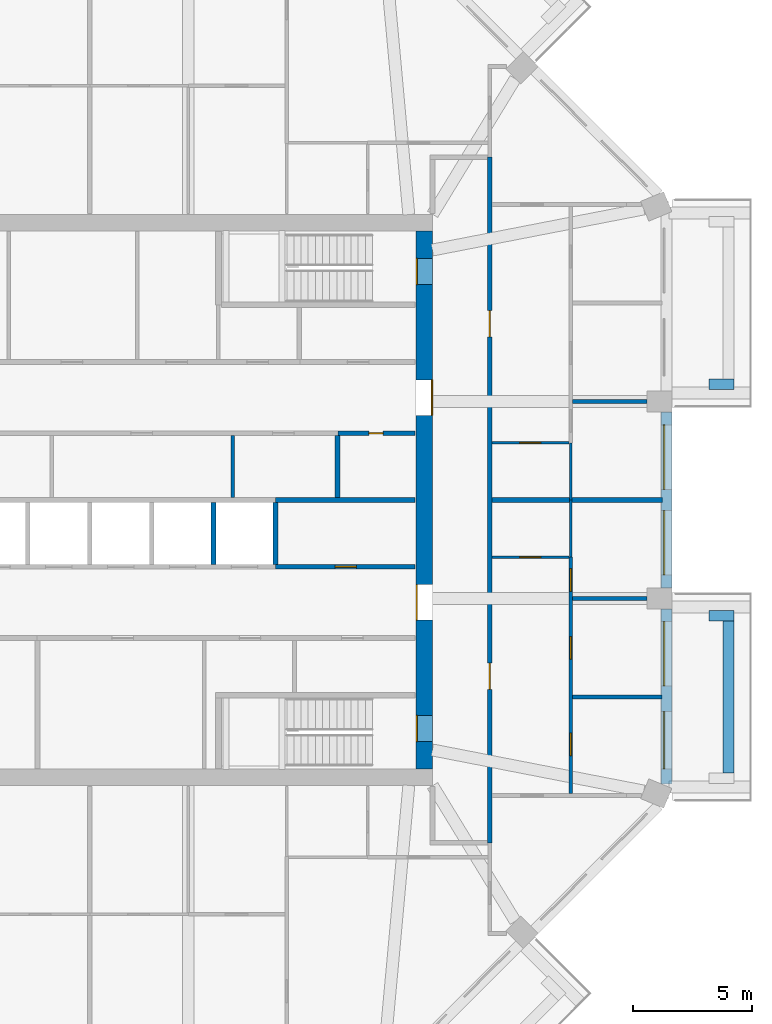
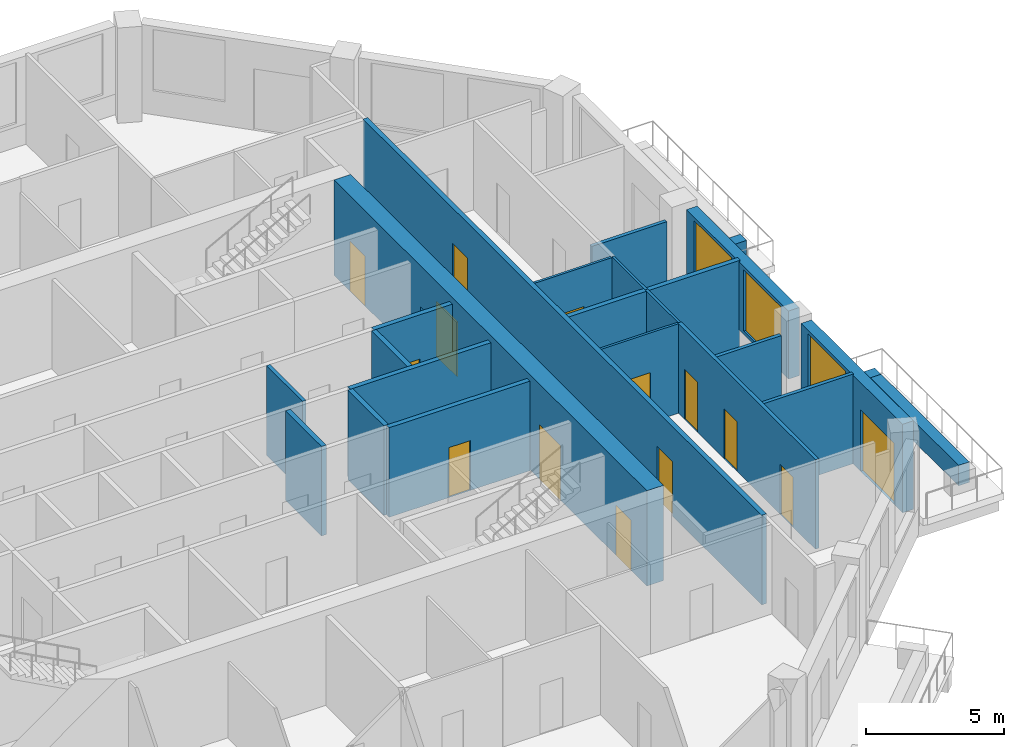
# One storey, part 6 of 12: 23 walls, 14 doors, 3 windows, 17 openings.
"""IFC4 building model written with IfcOpenShell, lengths in metres."""

from ifc_helpers import new_model, si_unit, direction, frame, frame_2d, origin, place, context, subcontext, project, spatial, rectangle, extrude, material, layer, layer_set, type_object, element, fill, save


model = new_model("IFC4")

# Units and contexts
model_context = context("Model", 3, precision=1e-05, world=origin(), true_north=direction((0.0, 1.0)))
body_context = subcontext(model_context, "Body", "Model", "MODEL_VIEW")
ifc_project = project(units=[si_unit("LENGTHUNIT", "METRE"), si_unit("AREAUNIT", "SQUARE_METRE"), si_unit("VOLUMEUNIT", "CUBIC_METRE"), si_unit("PLANEANGLEUNIT", "RADIAN"), si_unit("MASSUNIT", "GRAM", prefix="KILO")], contexts=[model_context])

# Site, building, storey
site_placement = place(None, origin())
site = spatial("IfcSite", under=ifc_project, at=site_placement, CompositionType="ELEMENT")
building_placement = place(site_placement, origin())
building = spatial("IfcBuilding", under=site, at=building_placement, Name="Msitu Wima Residences", CompositionType="ELEMENT")
storey_placement = place(building_placement, frame((0.0, 0.0, 170.699951171875)))
storey = spatial("IfcBuildingStorey", under=building, at=storey_placement, Name="L39", CompositionType="ELEMENT", Elevation=170.699951171875)

# Walls
ifc_material_1 = material(Name="Facing brick")
ifc_layer_1 = layer(ifc_material_1, 0.06494140625, Name="Facing brick")
ifc_material_2 = material(Name="Concrete C40/50", Category="concrete")
ifc_layer_2 = layer(ifc_material_2, 0.156005859375, Name="Concrete C40/50")
ifc_material_3 = material(Name="Waterproofing membrane")
ifc_layer_3 = layer(ifc_material_3, 0.00390625, Name="Waterproofing membrane")
ifc_material_4 = material(Name="Planting soil and planting")
ifc_layer_4 = layer(ifc_material_4, 0.22509765625, Name="Planting soil and planting")
ifc_layer_set_1 = layer_set([ifc_layer_1, ifc_layer_2, ifc_layer_3, ifc_layer_4], Name="Concrete C40/50")
wall_type_1 = type_object("IfcWallType", Name="Balcony planter PLANTER PL450", PredefinedType="USERDEFINED", material=ifc_layer_set_1)
wall_1_placement = place(storey_placement, frame((26.824951171875, -11.461669921875, 0.0), z_axis=(0.0, 0.0, 1.0), x_axis=(0.0, 1.0, 0.0)))
element("IfcWall", 1, at=wall_1_placement, inside=storey, type_object=wall_type_1, Name="Balcony planter E0 L39", ObjectType="PLANTER", PredefinedType="USERDEFINED", context=body_context, shape_type="SweptSolid", body=[
    extrude(rectangle(XDim=6.37451171875, YDim=0.449951171875, at=frame_2d((3.187255859375, 0.0))), origin(), (0.0, 0.0, 1.0), 0.900146484375),
])
for number, where, z_axis, x_axis, name in (
    (2, (26.0, -4.8623046875, 0.0), (0.0, 0.0, 1.0), (1.0, 0.0, 0.0), "Balcony planter E0 L39"),
    (3, (26.0, 4.8623046875, 0.0), (0.0, 0.0, 1.0), (1.0, 0.0, 0.0), "Balcony planter E2 L39"),
):
    element("IfcWall", number, at=place(storey_placement, frame(where, z_axis=z_axis, x_axis=x_axis)), inside=storey, type_object=wall_type_1, Name=name, ObjectType="PLANTER", PredefinedType="USERDEFINED", context=body_context, shape_type="SweptSolid", body=[
        extrude(rectangle(XDim=1.050048828125, YDim=0.449951171875, at=frame_2d((0.52490234375, 0.0))), origin(), (0.0, 0.0, 1.0), 0.900146484375),
    ])

# Wall, openings, door, window
ifc_material_5 = material(Name="Brick (red buff mix)", Category="masonry")
ifc_layer_5 = layer(ifc_material_5, 0.449951171875)
ifc_layer_set_2 = layer_set([ifc_layer_5], Name="Brick (red buff mix)")
wall_type_2 = type_object("IfcWallType", Name="Brick infill wall BW450", PredefinedType="SOLIDWALL", material=ifc_layer_set_2)
wall_2_placement = place(storey_placement, frame((24.22509765625, -11.9248046875, 0.0), z_axis=(0.0, 0.0, 1.0), x_axis=(0.0, 1.0, 0.0)))
wall_2 = element("IfcWall", 4, at=wall_2_placement, inside=storey, type_object=wall_type_2, Name="Brick infill wall L39 E0", PredefinedType="SOLIDWALL", context=body_context, shape_type="SweptSolid", body=[
    extrude(rectangle(XDim=7.337646484375, YDim=0.449951171875, at=frame_2d((3.6689453125, 0.0))), origin(), (0.0, 0.0, 1.0), 3.900146484375),
])
opening_1_placement = place(wall_2_placement, frame((0.63427734375, 0.0, 0.0)))
opening_1 = element("IfcOpeningElement", 5, at=opening_1_placement, cuts=wall_2, Name="Opening D38-39.001", PredefinedType="OPENING", context=body_context, shape_type="SweptSolid", body=[
    extrude(rectangle(XDim=2.39990234375, YDim=2.699951171875, at=frame_2d((1.199951171875, 1.35009765625))), frame((0.0, 0.23486328125, 0.0), z_axis=(0.0, -1.0, 0.0), x_axis=(1.0, 0.0, 0.0)), (0.0, 0.0, 1.0), 0.469970703125),
])
opening_2_placement = place(wall_2_placement, frame((4.11865234375, 0.0, 1.050048828125)))
opening_2 = element("IfcOpeningElement", 6, at=opening_2_placement, cuts=wall_2, Name="Opening W38-39.001", PredefinedType="OPENING", context=body_context, shape_type="SweptSolid", body=[
    extrude(rectangle(XDim=2.699951171875, YDim=2.699951171875, at=frame_2d((1.35009765625, 1.35009765625))), frame((0.0, 0.23486328125, 0.0), z_axis=(0.0, -1.0, 0.0), x_axis=(1.0, 0.0, 0.0)), (0.0, 0.0, 1.0), 0.469970703125),
])
ifc_material_6 = material(Name="Anodised aluminium, bronze finish, clear low-emissivity double glazing", Category="aluminium")
door_type_1 = type_object("IfcDoorType", Name="Balcony door D2400x2700", OperationType="SLIDING_TO_LEFT", PredefinedType="DOOR", material=ifc_material_6)
door_1_placement = place(opening_1_placement, origin())
door_1 = element("IfcDoor", 7, at=door_1_placement, inside=storey, type_object=door_type_1, Name="Balcony door L39 E0", OperationType="SINGLE_SWING_LEFT", OverallHeight=2.699951171875, OverallWidth=2.39990234375, PredefinedType="DOOR", context=body_context, shape_type="SweptSolid", body=[
    extrude(rectangle(XDim=2.39990234375, YDim=2.699951171875, at=frame_2d((1.199951171875, 1.35009765625))), frame((0.0, 0.1298828125, 0.0), z_axis=(0.0, -1.0, 0.0), x_axis=(1.0, 0.0, 0.0)), (0.0, 0.0, 1.0), 0.050048828125),
])
fill(opening_1, door_1)
window_type = type_object("IfcWindowType", Name="Window W2700x2700", PartitioningType="DOUBLE_PANEL_VERTICAL", PredefinedType="WINDOW", material=ifc_material_6)
window_1_placement = place(opening_2_placement, origin())
window_1 = element("IfcWindow", 8, at=window_1_placement, inside=storey, type_object=window_type, Name="Window L39 E0.2", OverallHeight=2.699951171875, OverallWidth=2.699951171875, PartitioningType="SINGLE_PANEL", PredefinedType="WINDOW", context=body_context, shape_type="SweptSolid", body=[
    extrude(rectangle(XDim=2.699951171875, YDim=2.699951171875, at=frame_2d((1.35009765625, 1.35009765625))), frame((0.0, 0.135009765625, 0.0), z_axis=(0.0, -1.0, 0.0), x_axis=(1.0, 0.0, 0.0)), (0.0, 0.0, 1.0), 0.06005859375),
])
fill(opening_2, window_1)

# Wall, openings, windows
wall_3_placement = place(storey_placement, frame((24.22509765625, -3.687255859375, 0.900146484375), z_axis=(0.0, 0.0, 1.0), x_axis=(0.0, 1.0, 0.0)))
wall_3 = element("IfcWall", 9, at=wall_3_placement, inside=storey, type_object=wall_type_2, Name="Brick infill wall L39 E1", PredefinedType="SOLIDWALL", context=body_context, shape_type="SweptSolid", body=[
    extrude(rectangle(XDim=7.37451171875, YDim=0.449951171875, at=frame_2d((3.687255859375, 0.0))), origin(), (0.0, 0.0, 1.0), 3.0),
])
opening_3_placement = place(wall_3_placement, frame((0.537353515625, 0.0, 0.14990234375)))
opening_3 = element("IfcOpeningElement", 10, at=opening_3_placement, cuts=wall_3, Name="Opening W38-39.002", PredefinedType="OPENING", context=body_context, shape_type="SweptSolid", body=[
    extrude(rectangle(XDim=2.699951171875, YDim=2.699951171875, at=frame_2d((1.35009765625, 1.35009765625))), frame((0.0, 0.23486328125, 0.0), z_axis=(0.0, -1.0, 0.0), x_axis=(1.0, 0.0, 0.0)), (0.0, 0.0, 1.0), 0.469970703125),
])
opening_4_placement = place(wall_3_placement, frame((4.13720703125, 0.0, 0.14990234375)))
opening_4 = element("IfcOpeningElement", 11, at=opening_4_placement, cuts=wall_3, Name="Opening W38-39.003", PredefinedType="OPENING", context=body_context, shape_type="SweptSolid", body=[
    extrude(rectangle(XDim=2.699951171875, YDim=2.699951171875, at=frame_2d((1.35009765625, 1.35009765625))), frame((0.0, 0.23486328125, 0.0), z_axis=(0.0, -1.0, 0.0), x_axis=(1.0, 0.0, 0.0)), (0.0, 0.0, 1.0), 0.469970703125),
])
window_2_placement = place(opening_3_placement, origin())
window_2 = element("IfcWindow", 12, at=window_2_placement, inside=storey, type_object=window_type, Name="Window L39 E1.1", OverallHeight=2.699951171875, OverallWidth=2.699951171875, PartitioningType="SINGLE_PANEL", PredefinedType="WINDOW", context=body_context, shape_type="SweptSolid", body=[
    extrude(rectangle(XDim=2.699951171875, YDim=2.699951171875, at=frame_2d((1.35009765625, 1.35009765625))), frame((0.0, 0.135009765625, 0.0), z_axis=(0.0, -1.0, 0.0), x_axis=(1.0, 0.0, 0.0)), (0.0, 0.0, 1.0), 0.06005859375),
])
fill(opening_3, window_2)
window_3_placement = place(opening_4_placement, origin())
window_3 = element("IfcWindow", 13, at=window_3_placement, inside=storey, type_object=window_type, Name="Window L39 E1.2", OverallHeight=2.699951171875, OverallWidth=2.699951171875, PartitioningType="SINGLE_PANEL", PredefinedType="WINDOW", context=body_context, shape_type="SweptSolid", body=[
    extrude(rectangle(XDim=2.699951171875, YDim=2.699951171875, at=frame_2d((1.35009765625, 1.35009765625))), frame((0.0, 0.135009765625, 0.0), z_axis=(0.0, -1.0, 0.0), x_axis=(1.0, 0.0, 0.0)), (0.0, 0.0, 1.0), 0.06005859375),
])
fill(opening_4, window_3)

# Wall, openings, doors
ifc_material_7 = material(Name="Concrete C60/75", Category="concrete")
ifc_layer_6 = layer(ifc_material_7, 0.699951171875)
ifc_layer_set_3 = layer_set([ifc_layer_6], Name="Concrete C60/75")
wall_type_3 = type_object("IfcWallType", Name="Core wall CW700 C60/75", PredefinedType="SHEAR", material=ifc_layer_set_3)
wall_4_placement = place(storey_placement, frame((14.050048828125, -11.300048828125, 0.0), z_axis=(0.0, 0.0, 1.0), x_axis=(0.0, 1.0, 0.0)))
wall_4 = element("IfcWall", 14, at=wall_4_placement, inside=storey, type_object=wall_type_3, Name="Core wall", PredefinedType="SHEAR", context=body_context, shape_type="SweptSolid", body=[
    extrude(rectangle(XDim=22.60009765625, YDim=0.699951171875, at=frame_2d((11.300048828125, 0.0))), origin(), (0.0, 0.0, 1.0), 4.199951171875),
])
opening_5_placement = place(wall_4_placement, frame((20.35009765625, 0.0, 0.0)))
opening_5 = element("IfcOpeningElement", 15, at=opening_5_placement, cuts=wall_4, Name="Opening D38-39.084", PredefinedType="OPENING", context=body_context, shape_type="SweptSolid", body=[
    extrude(rectangle(XDim=1.10009765625, YDim=2.199951171875, at=frame_2d((0.550048828125, 1.10009765625))), frame((0.0, 0.35986328125, 0.0), z_axis=(0.0, -1.0, 0.0), x_axis=(1.0, 0.0, 0.0)), (0.0, 0.0, 1.0), 0.719970703125),
])
opening_6_placement = place(wall_4_placement, frame((1.14990234375, 0.0, 0.0)))
opening_6 = element("IfcOpeningElement", 16, at=opening_6_placement, cuts=wall_4, Name="Opening D38-39.085", PredefinedType="OPENING", context=body_context, shape_type="SweptSolid", body=[
    extrude(rectangle(XDim=1.10009765625, YDim=2.199951171875, at=frame_2d((0.550048828125, 1.10009765625))), frame((0.0, 0.35986328125, 0.0), z_axis=(0.0, -1.0, 0.0), x_axis=(1.0, 0.0, 0.0)), (0.0, 0.0, 1.0), 0.719970703125),
])
opening_7_placement = place(wall_4_placement, frame((14.85009765625, 0.0, 0.0)))
opening_7 = element("IfcOpeningElement", 17, at=opening_7_placement, cuts=wall_4, Name="Opening D38-39.073", PredefinedType="OPENING", context=body_context, shape_type="SweptSolid", body=[
    extrude(rectangle(XDim=1.5, YDim=2.39990234375, at=frame_2d((0.75, 1.199951171875))), frame((0.0, 0.35986328125, 0.0), z_axis=(0.0, -1.0, 0.0), x_axis=(1.0, 0.0, 0.0)), (0.0, 0.0, 1.0), 0.719970703125),
])
opening_8_placement = place(wall_4_placement, frame((6.25, 0.0, 0.0)))
opening_8 = element("IfcOpeningElement", 18, at=opening_8_placement, cuts=wall_4, Name="Opening D38-39.074", PredefinedType="OPENING", context=body_context, shape_type="SweptSolid", body=[
    extrude(rectangle(XDim=1.5, YDim=2.39990234375, at=frame_2d((0.75, 1.199951171875))), frame((0.0, 0.35986328125, 0.0), z_axis=(0.0, -1.0, 0.0), x_axis=(1.0, 0.0, 0.0)), (0.0, 0.0, 1.0), 0.719970703125),
])
ifc_material_8 = material(Name="Steel framed glazed door, fire resisting", Category="steel")
door_type_2 = type_object("IfcDoorType", Name="Lobby door D07 1500x2400", OperationType="DOUBLE_DOOR_SINGLE_SWING", PredefinedType="DOOR", material=ifc_material_8)
door_2_placement = place(opening_7_placement, origin())
door_2 = element("IfcDoor", 19, at=door_2_placement, inside=storey, type_object=door_type_2, Name="Lobby door", OperationType="DOUBLE_DOOR_SINGLE_SWING", OverallHeight=2.39990234375, OverallWidth=1.5, PredefinedType="DOOR", context=body_context, shape_type="SweptSolid", body=[
    extrude(rectangle(XDim=1.5, YDim=2.39990234375, at=frame_2d((0.75, 1.199951171875))), frame((0.0, -0.294921875, 0.0), z_axis=(0.0, -1.0, 0.0), x_axis=(1.0, 0.0, 0.0)), (0.0, 0.0, 1.0), 0.050048828125),
])
fill(opening_7, door_2)
door_3_placement = place(opening_8_placement, origin())
door_3 = element("IfcDoor", 20, at=door_3_placement, inside=storey, type_object=door_type_2, Name="Lobby door", OperationType="DOUBLE_DOOR_SINGLE_SWING", OverallHeight=2.39990234375, OverallWidth=1.5, PredefinedType="DOOR", context=body_context, shape_type="SweptSolid", body=[
    extrude(rectangle(XDim=1.5, YDim=2.39990234375, at=frame_2d((0.75, 1.199951171875))), frame((0.0, 0.34521484375, 0.0), z_axis=(0.0, -1.0, 0.0), x_axis=(1.0, 0.0, 0.0)), (0.0, 0.0, 1.0), 0.050048828125),
])
fill(opening_8, door_3)
ifc_material_9 = material(Name="Steel door, fire resisting, panic bar", Category="steel")
door_type_3 = type_object("IfcDoorType", Name="Stair door D06 1100x2200", OperationType="SINGLE_SWING_LEFT", PredefinedType="DOOR", material=ifc_material_9)
door_4_placement = place(opening_5_placement, origin())
door_4 = element("IfcDoor", 21, at=door_4_placement, inside=storey, type_object=door_type_3, Name="Stair door", OperationType="SINGLE_SWING_LEFT", OverallHeight=2.199951171875, OverallWidth=1.10009765625, PredefinedType="DOOR", context=body_context, shape_type="SweptSolid", body=[
    extrude(rectangle(XDim=1.10009765625, YDim=2.199951171875, at=frame_2d((0.550048828125, 1.10009765625))), frame((0.0, 0.34521484375, 0.0), z_axis=(0.0, -1.0, 0.0), x_axis=(1.0, 0.0, 0.0)), (0.0, 0.0, 1.0), 0.050048828125),
])
fill(opening_5, door_4)
door_5_placement = place(opening_6_placement, origin())
door_5 = element("IfcDoor", 22, at=door_5_placement, inside=storey, type_object=door_type_3, Name="Stair door", OperationType="SINGLE_SWING_RIGHT", OverallHeight=2.199951171875, OverallWidth=1.10009765625, PredefinedType="DOOR", context=body_context, shape_type="SweptSolid", body=[
    extrude(rectangle(XDim=1.10009765625, YDim=2.199951171875, at=frame_2d((0.550048828125, 1.10009765625))), frame((0.0, 0.34521484375, 0.0), z_axis=(0.0, -1.0, 0.0), x_axis=(1.0, 0.0, 0.0)), (0.0, 0.0, 1.0), 0.050048828125),
])
fill(opening_6, door_5)

ifc_material_10 = material(Name="Plaster")
ifc_layer_7 = layer(ifc_material_10, 0.011962890625, Name="Plaster")
ifc_material_11 = material(Name="Concrete blockwork", Category="masonry")
ifc_layer_8 = layer(ifc_material_11, 0.176025390625, Name="Concrete blockwork")
ifc_layer_9 = layer(ifc_material_10, 0.011962890625, Name="Plaster")
ifc_layer_set_4 = layer_set([ifc_layer_7, ifc_layer_8, ifc_layer_9], Name="Concrete blockwork")
wall_type_4 = type_object("IfcWallType", Name="Corridor wall FW200", PredefinedType="PARTITIONING", material=ifc_layer_set_4)
wall_5_placement = place(storey_placement, frame((16.800048828125, -14.39990234375, 0.0), z_axis=(0.0, 0.0, 1.0), x_axis=(0.0, 1.0, 0.0)))
wall_5 = element("IfcWall", 23, at=wall_5_placement, inside=storey, type_object=wall_type_4, Name="Corridor wall", PredefinedType="PARTITIONING", context=body_context, shape_type="SweptSolid", body=[
    extrude(rectangle(XDim=28.7998046875, YDim=0.199951171875, at=frame_2d((14.39990234375, 0.0))), origin(), (0.0, 0.0, 1.0), 3.949951171875),
])
opening_9_placement = place(wall_5_placement, frame((21.25, 0.0, 0.0)))
opening_9 = element("IfcOpeningElement", 24, at=opening_9_placement, cuts=wall_5, Name="Opening D38-39.011", PredefinedType="OPENING", context=body_context, shape_type="SweptSolid", body=[
    extrude(rectangle(XDim=1.10009765625, YDim=2.39990234375, at=frame_2d((0.550048828125, 1.199951171875))), frame((0.0, 0.10986328125, 0.0), z_axis=(0.0, -1.0, 0.0), x_axis=(1.0, 0.0, 0.0)), (0.0, 0.0, 1.0), 0.219970703125),
])
opening_10_placement = place(wall_5_placement, frame((6.449951171875, 0.0, 0.0)))
opening_10 = element("IfcOpeningElement", 25, at=opening_10_placement, cuts=wall_5, Name="Opening D38-39.047", PredefinedType="OPENING", context=body_context, shape_type="SweptSolid", body=[
    extrude(rectangle(XDim=1.10009765625, YDim=2.39990234375, at=frame_2d((0.550048828125, 1.199951171875))), frame((0.0, 0.10986328125, 0.0), z_axis=(0.0, -1.0, 0.0), x_axis=(1.0, 0.0, 0.0)), (0.0, 0.0, 1.0), 0.219970703125),
])
ifc_material_12 = material(Name="Timber flush door, fire resisting, self-closing", Category="wood")
door_type_4 = type_object("IfcDoorType", Name="Flat entrance door D01 1100x2400", OperationType="SINGLE_SWING_LEFT", PredefinedType="DOOR", material=ifc_material_12)
door_6_placement = place(opening_9_placement, origin())
door_6 = element("IfcDoor", 26, at=door_6_placement, inside=storey, type_object=door_type_4, Name="Flat entrance door", OperationType="SINGLE_SWING_LEFT", OverallHeight=2.39990234375, OverallWidth=1.10009765625, PredefinedType="DOOR", context=body_context, shape_type="SweptSolid", body=[
    extrude(rectangle(XDim=1.10009765625, YDim=2.39990234375, at=frame_2d((0.550048828125, 1.199951171875))), frame((0.0, 0.02490234375, 0.0), z_axis=(0.0, -1.0, 0.0), x_axis=(1.0, 0.0, 0.0)), (0.0, 0.0, 1.0), 0.050048828125),
])
fill(opening_9, door_6)
door_7_placement = place(opening_10_placement, origin())
door_7 = element("IfcDoor", 27, at=door_7_placement, inside=storey, type_object=door_type_4, Name="Flat entrance door", OperationType="SINGLE_SWING_RIGHT", OverallHeight=2.39990234375, OverallWidth=1.10009765625, PredefinedType="DOOR", context=body_context, shape_type="SweptSolid", body=[
    extrude(rectangle(XDim=1.10009765625, YDim=2.39990234375, at=frame_2d((0.550048828125, 1.199951171875))), frame((0.0, 0.02490234375, 0.0), z_axis=(0.0, -1.0, 0.0), x_axis=(1.0, 0.0, 0.0)), (0.0, 0.0, 1.0), 0.050048828125),
])
fill(opening_10, door_7)

# Wall
ifc_layer_10 = layer(ifc_material_10, 0.011962890625, Name="Plaster")
ifc_layer_11 = layer(ifc_material_11, 0.1259765625, Name="Concrete blockwork")
ifc_layer_12 = layer(ifc_material_10, 0.011962890625, Name="Plaster")
ifc_layer_set_5 = layer_set([ifc_layer_10, ifc_layer_11, ifc_layer_12], Name="Concrete blockwork")
wall_type_5 = type_object("IfcWallType", Name="Partition PW150", PredefinedType="PARTITIONING", material=ifc_layer_set_5)
wall_6_placement = place(storey_placement, frame((6.0, 0.10009765625, 0.0), z_axis=(0.0, 0.0, 1.0), x_axis=(0.0, 1.0, 0.0)))
element("IfcWall", 28, at=wall_6_placement, inside=storey, type_object=wall_type_5, Name="Partition", PredefinedType="PARTITIONING", context=body_context, shape_type="SweptSolid", body=[
    extrude(rectangle(XDim=2.599853515625, YDim=0.14990234375, at=frame_2d((1.2998046875, 0.0))), origin(), (0.0, 0.0, 1.0), 3.949951171875),
])

# Wall, openings, doors
wall_7_placement = place(storey_placement, frame((20.199951171875, -12.336669921875, 0.0), z_axis=(0.0, 0.0, 1.0), x_axis=(0.0, 1.0, 0.0)))
wall_7 = element("IfcWall", 29, at=wall_7_placement, inside=storey, type_object=wall_type_5, Name="Partition", PredefinedType="PARTITIONING", context=body_context, shape_type="SweptSolid", body=[
    extrude(rectangle(XDim=9.936767578125, YDim=0.14990234375, at=frame_2d((4.96826171875, 0.0))), origin(), (0.0, 0.0, 1.0), 3.949951171875),
])
opening_11_placement = place(wall_7_placement, frame((8.5, 0.0, 0.0)))
opening_11 = element("IfcOpeningElement", 30, at=opening_11_placement, cuts=wall_7, Name="Opening D38-39.051", PredefinedType="OPENING", context=body_context, shape_type="SweptSolid", body=[
    extrude(rectangle(XDim=0.949951171875, YDim=2.199951171875, at=frame_2d((0.47509765625, 1.10009765625))), frame((0.0, 0.0849609375, 0.0), z_axis=(0.0, -1.0, 0.0), x_axis=(1.0, 0.0, 0.0)), (0.0, 0.0, 1.0), 0.169921875),
])
opening_12_placement = place(wall_7_placement, frame((5.64990234375, 0.0, 0.0)))
opening_12 = element("IfcOpeningElement", 31, at=opening_12_placement, cuts=wall_7, Name="Opening D38-39.052", PredefinedType="OPENING", context=body_context, shape_type="SweptSolid", body=[
    extrude(rectangle(XDim=0.949951171875, YDim=2.199951171875, at=frame_2d((0.47509765625, 1.10009765625))), frame((0.0, 0.0849609375, 0.0), z_axis=(0.0, -1.0, 0.0), x_axis=(1.0, 0.0, 0.0)), (0.0, 0.0, 1.0), 0.169921875),
])
opening_13_placement = place(wall_7_placement, frame((1.60009765625, 0.0, 0.0)))
opening_13 = element("IfcOpeningElement", 32, at=opening_13_placement, cuts=wall_7, Name="Opening D38-39.053", PredefinedType="OPENING", context=body_context, shape_type="SweptSolid", body=[
    extrude(rectangle(XDim=0.949951171875, YDim=2.199951171875, at=frame_2d((0.47509765625, 1.10009765625))), frame((0.0, 0.0849609375, 0.0), z_axis=(0.0, -1.0, 0.0), x_axis=(1.0, 0.0, 0.0)), (0.0, 0.0, 1.0), 0.169921875),
])
ifc_material_13 = material(Name="Timber flush door", Category="wood")
door_type_5 = type_object("IfcDoorType", Name="Room door D12 950x2200", OperationType="SINGLE_SWING_LEFT", PredefinedType="DOOR", material=ifc_material_13)
door_8_placement = place(opening_11_placement, origin())
door_8 = element("IfcDoor", 33, at=door_8_placement, inside=storey, type_object=door_type_5, Name="Room door", OperationType="SINGLE_SWING_RIGHT", OverallHeight=2.199951171875, OverallWidth=0.949951171875, PredefinedType="DOOR", context=body_context, shape_type="SweptSolid", body=[
    extrude(rectangle(XDim=0.949951171875, YDim=2.199951171875, at=frame_2d((0.47509765625, 1.10009765625))), frame((0.0, 0.02490234375, 0.0), z_axis=(0.0, -1.0, 0.0), x_axis=(1.0, 0.0, 0.0)), (0.0, 0.0, 1.0), 0.050048828125),
])
fill(opening_11, door_8)
door_9_placement = place(opening_12_placement, origin())
door_9 = element("IfcDoor", 34, at=door_9_placement, inside=storey, type_object=door_type_5, Name="Room door", OperationType="SINGLE_SWING_RIGHT", OverallHeight=2.199951171875, OverallWidth=0.949951171875, PredefinedType="DOOR", context=body_context, shape_type="SweptSolid", body=[
    extrude(rectangle(XDim=0.949951171875, YDim=2.199951171875, at=frame_2d((0.47509765625, 1.10009765625))), frame((0.0, 0.02490234375, 0.0), z_axis=(0.0, -1.0, 0.0), x_axis=(1.0, 0.0, 0.0)), (0.0, 0.0, 1.0), 0.050048828125),
])
fill(opening_12, door_9)
door_10_placement = place(opening_13_placement, origin())
door_10 = element("IfcDoor", 35, at=door_10_placement, inside=storey, type_object=door_type_5, Name="Room door", OperationType="SINGLE_SWING_LEFT", OverallHeight=2.199951171875, OverallWidth=0.949951171875, PredefinedType="DOOR", context=body_context, shape_type="SweptSolid", body=[
    extrude(rectangle(XDim=0.949951171875, YDim=2.199951171875, at=frame_2d((0.47509765625, 1.10009765625))), frame((0.0, 0.02490234375, 0.0), z_axis=(0.0, -1.0, 0.0), x_axis=(1.0, 0.0, 0.0)), (0.0, 0.0, 1.0), 0.050048828125),
])
fill(opening_13, door_10)

# Walls
wall_8_placement = place(storey_placement, frame((20.27490234375, -8.2744140625, 0.0), z_axis=(0.0, 0.0, 1.0), x_axis=(1.0, 0.0, 0.0)))
element("IfcWall", 36, at=wall_8_placement, inside=storey, type_object=wall_type_5, Name="Partition", PredefinedType="PARTITIONING", context=body_context, shape_type="SweptSolid", body=[
    extrude(rectangle(XDim=3.75, YDim=0.14990234375, at=frame_2d((1.875, 0.0))), origin(), (0.0, 0.0, 1.0), 3.949951171875),
])
for number, where, z_axis, x_axis, name in (
    (37, (20.27490234375, -4.13720703125, 0.0), (0.0, 0.0, 1.0), (1.0, 0.0, 0.0), "Partition"),
    (38, (20.27490234375, 4.13720703125, 0.0), (0.0, 0.0, 1.0), (1.0, 0.0, 0.0), "Partition"),
):
    element("IfcWall", number, at=place(storey_placement, frame(where, z_axis=z_axis, x_axis=x_axis)), inside=storey, type_object=wall_type_5, Name=name, PredefinedType="PARTITIONING", context=body_context, shape_type="SweptSolid", body=[
        extrude(rectangle(XDim=3.125, YDim=0.14990234375, at=frame_2d((1.5625, 0.0))), origin(), (0.0, 0.0, 1.0), 3.35009765625),
    ])
ifc_layer_13 = layer(ifc_material_10, 0.011962890625, Name="Plaster")
ifc_material_14 = material(Name="Dense concrete blockwork", Category="masonry")
ifc_layer_14 = layer(ifc_material_14, 0.176025390625, Name="Dense concrete blockwork")
ifc_layer_15 = layer(ifc_material_10, 0.011962890625, Name="Plaster")
ifc_layer_set_6 = layer_set([ifc_layer_13, ifc_layer_14, ifc_layer_15], Name="Dense concrete blockwork")
wall_type_6 = type_object("IfcWallType", Name="Party wall PW200", PredefinedType="PARTITIONING", material=ifc_layer_set_6)
wall_9_placement = place(storey_placement, frame((16.89990234375, 0.0, 0.0), z_axis=(0.0, 0.0, 1.0), x_axis=(1.0, 0.0, 0.0)))
element("IfcWall", 39, at=wall_9_placement, inside=storey, type_object=wall_type_6, Name="Party wall", PredefinedType="PARTITIONING", context=body_context, shape_type="SweptSolid", body=[
    extrude(rectangle(XDim=7.155029296875, YDim=0.199951171875, at=frame_2d((3.57763671875, 0.0))), origin(), (0.0, 0.0, 1.0), 3.949951171875),
])

# Wall, opening, door
ifc_layer_16 = layer(ifc_material_10, 0.011962890625, Name="Plaster")
ifc_material_15 = material(Name="Reinforced concrete blockwork", Category="masonry")
ifc_layer_17 = layer(ifc_material_15, 0.176025390625, Name="Reinforced concrete blockwork")
ifc_layer_18 = layer(ifc_material_10, 0.011962890625, Name="Plaster")
ifc_layer_set_7 = layer_set([ifc_layer_16, ifc_layer_17, ifc_layer_18], Name="Reinforced concrete blockwork")
wall_type_7 = type_object("IfcWallType", Name="Plant and riser wall PL200", PredefinedType="PARTITIONING", material=ifc_layer_set_7)
wall_10_placement = place(storey_placement, frame((7.800048828125, -2.800048828125, 0.0), z_axis=(0.0, 0.0, 1.0), x_axis=(1.0, 0.0, 0.0)))
wall_10 = element("IfcWall", 40, at=wall_10_placement, inside=storey, type_object=wall_type_7, Name="Plant and riser wall", PredefinedType="PARTITIONING", context=body_context, shape_type="SweptSolid", body=[
    extrude(rectangle(XDim=5.869873046875, YDim=0.199951171875, at=frame_2d((2.93505859375, 0.0))), origin(), (0.0, 0.0, 1.0), 3.949951171875),
])
opening_14_placement = place(wall_10_placement, frame((2.5, 0.0, 0.0)))
opening_14 = element("IfcOpeningElement", 41, at=opening_14_placement, cuts=wall_10, Name="Opening D38-39.059", PredefinedType="OPENING", context=body_context, shape_type="SweptSolid", body=[
    extrude(rectangle(XDim=0.89990234375, YDim=2.199951171875, at=frame_2d((0.449951171875, 1.10009765625))), frame((0.0, 0.10986328125, 0.0), z_axis=(0.0, -1.0, 0.0), x_axis=(1.0, 0.0, 0.0)), (0.0, 0.0, 1.0), 0.219970703125),
])
door_type_6 = type_object("IfcDoorType", Name="Service door D05 900x2200", OperationType="SINGLE_SWING_LEFT", PredefinedType="DOOR", material=ifc_material_13)
door_11_placement = place(opening_14_placement, origin())
door_11 = element("IfcDoor", 42, at=door_11_placement, inside=storey, type_object=door_type_6, Name="Service door", OperationType="SINGLE_SWING_LEFT", OverallHeight=2.199951171875, OverallWidth=0.89990234375, PredefinedType="DOOR", context=body_context, shape_type="SweptSolid", body=[
    extrude(rectangle(XDim=0.89990234375, YDim=2.199951171875, at=frame_2d((0.449951171875, 1.10009765625))), frame((0.0, 0.02490234375, 0.0), z_axis=(0.0, -1.0, 0.0), x_axis=(1.0, 0.0, 0.0)), (0.0, 0.0, 1.0), 0.050048828125),
])
fill(opening_14, door_11)

# Wall
wall_11_placement = place(storey_placement, frame((7.800048828125, 0.0, 0.0), z_axis=(0.0, 0.0, 1.0), x_axis=(1.0, 0.0, 0.0)))
element("IfcWall", 43, at=wall_11_placement, inside=storey, type_object=wall_type_7, Name="Plant and riser wall", PredefinedType="PARTITIONING", context=body_context, shape_type="SweptSolid", body=[
    extrude(rectangle(XDim=5.869873046875, YDim=0.199951171875, at=frame_2d((2.93505859375, 0.0))), origin(), (0.0, 0.0, 1.0), 3.949951171875),
])

# Wall, opening, door
wall_12_placement = place(storey_placement, frame((10.419921875, 2.800048828125, 0.0), z_axis=(0.0, 0.0, 1.0), x_axis=(1.0, 0.0, 0.0)))
wall_12 = element("IfcWall", 44, at=wall_12_placement, inside=storey, type_object=wall_type_7, Name="Plant and riser wall", PredefinedType="PARTITIONING", context=body_context, shape_type="SweptSolid", body=[
    extrude(rectangle(XDim=3.25, YDim=0.199951171875, at=frame_2d((1.625, 0.0))), origin(), (0.0, 0.0, 1.0), 3.949951171875),
])
opening_15_placement = place(wall_12_placement, frame((1.300048828125, 0.0, 0.0)))
opening_15 = element("IfcOpeningElement", 45, at=opening_15_placement, cuts=wall_12, Name="Opening D38-39.078", PredefinedType="OPENING", context=body_context, shape_type="SweptSolid", body=[
    extrude(rectangle(XDim=0.60009765625, YDim=2.0, at=frame_2d((0.300048828125, 1.0))), frame((0.0, 0.10986328125, 0.0), z_axis=(0.0, -1.0, 0.0), x_axis=(1.0, 0.0, 0.0)), (0.0, 0.0, 1.0), 0.219970703125),
])
ifc_material_16 = material(Name="Steel access door, fire resisting", Category="steel")
door_type_7 = type_object("IfcDoorType", Name="Riser access door D08 600x2000", OperationType="SINGLE_SWING_LEFT", PredefinedType="DOOR", material=ifc_material_16)
door_12_placement = place(opening_15_placement, origin())
door_12 = element("IfcDoor", 46, at=door_12_placement, inside=storey, type_object=door_type_7, Name="Riser access door", OperationType="SINGLE_SWING_RIGHT", OverallHeight=2.0, OverallWidth=0.60009765625, PredefinedType="DOOR", context=body_context, shape_type="SweptSolid", body=[
    extrude(rectangle(XDim=0.60009765625, YDim=2.0, at=frame_2d((0.300048828125, 1.0))), frame((0.0, 0.02490234375, 0.0), z_axis=(0.0, -1.0, 0.0), x_axis=(1.0, 0.0, 0.0)), (0.0, 0.0, 1.0), 0.050048828125),
])
fill(opening_15, door_12)

# Walls
wall_13_placement = place(storey_placement, frame((10.39990234375, 0.10009765625, 0.0), z_axis=(0.0, 0.0, 1.0), x_axis=(0.0, 1.0, 0.0)))
element("IfcWall", 47, at=wall_13_placement, inside=storey, type_object=wall_type_7, Name="Plant and riser wall", PredefinedType="PARTITIONING", context=body_context, shape_type="SweptSolid", body=[
    extrude(rectangle(XDim=2.599853515625, YDim=0.199951171875, at=frame_2d((1.2998046875, 0.0))), origin(), (0.0, 0.0, 1.0), 3.949951171875),
])
ifc_material_17 = material(Name="Fire-rated board")
ifc_layer_19 = layer(ifc_material_17, 0.02490234375, Name="Fire-rated board")
ifc_material_18 = material(Name="Light-gauge stud framing with mineral wool")
ifc_layer_20 = layer(ifc_material_18, 0.14990234375, Name="Light-gauge stud framing with mineral wool")
ifc_layer_21 = layer(ifc_material_17, 0.02490234375, Name="Fire-rated board")
ifc_layer_set_8 = layer_set([ifc_layer_19, ifc_layer_20, ifc_layer_21], Name="Light-gauge stud framing with mineral wool")
wall_type_8 = type_object("IfcWallType", Name="Shaft wall SH200", PredefinedType="PARTITIONING", material=ifc_layer_set_8)
for number, where, z_axis, x_axis, name in (
    (48, (5.199951171875, -2.699951171875, 0.0), (0.0, 0.0, 1.0), (0.0, 1.0, 0.0), "Shaft wall"),
    (49, (7.800048828125, -2.699951171875, 0.0), (0.0, 0.0, 1.0), (0.0, 1.0, 0.0), "Shaft wall"),
):
    element("IfcWall", number, at=place(storey_placement, frame(where, z_axis=z_axis, x_axis=x_axis)), inside=storey, type_object=wall_type_8, Name=name, PredefinedType="PARTITIONING", context=body_context, shape_type="SweptSolid", body=[
        extrude(rectangle(XDim=2.599853515625, YDim=0.199951171875, at=frame_2d((1.2998046875, 0.0))), origin(), (0.0, 0.0, 1.0), 3.949951171875),
    ])

# Wall, opening, door
ifc_material_19 = material(Name="Ceramic tiles")
ifc_layer_22 = layer(ifc_material_19, 0.008056640625, Name="Ceramic tiles")
ifc_material_20 = material(Name="Moisture-resistant board")
ifc_layer_23 = layer(ifc_material_20, 0.012451171875, Name="Moisture-resistant board")
ifc_layer_24 = layer(ifc_material_18, 0.06689453125, Name="Light-gauge stud framing with mineral wool")
ifc_layer_25 = layer(ifc_material_20, 0.012451171875, Name="Moisture-resistant board")
ifc_layer_set_9 = layer_set([ifc_layer_22, ifc_layer_23, ifc_layer_24, ifc_layer_25], Name="Light-gauge stud framing with mineral wool")
wall_type_9 = type_object("IfcWallType", Name="Wet wall PW100", PredefinedType="PARTITIONING", material=ifc_layer_set_9)
wall_14_placement = place(storey_placement, frame((16.89990234375, -2.39990234375, 0.0), z_axis=(0.0, 0.0, 1.0), x_axis=(1.0, 0.0, 0.0)))
wall_14 = element("IfcWall", 50, at=wall_14_placement, inside=storey, type_object=wall_type_9, Name="Wet wall", PredefinedType="PARTITIONING", context=body_context, shape_type="SweptSolid", body=[
    extrude(rectangle(XDim=3.22509765625, YDim=0.10009765625, at=frame_2d((1.612548828125, 0.0))), origin(), (0.0, 0.0, 1.0), 3.949951171875),
])
opening_16_placement = place(wall_14_placement, frame((1.14990234375, 0.0, 0.0)))
opening_16 = element("IfcOpeningElement", 51, at=opening_16_placement, cuts=wall_14, Name="Opening D38-39.048", PredefinedType="OPENING", context=body_context, shape_type="SweptSolid", body=[
    extrude(rectangle(XDim=0.89990234375, YDim=2.199951171875, at=frame_2d((0.449951171875, 1.10009765625))), frame((0.0, 0.06005859375, 0.0), z_axis=(0.0, -1.0, 0.0), x_axis=(1.0, 0.0, 0.0)), (0.0, 0.0, 1.0), 0.1201171875),
])
ifc_material_21 = material(Name="Timber flush door, moisture resistant", Category="wood")
door_type_8 = type_object("IfcDoorType", Name="Bathroom door D03 900x2200", OperationType="SINGLE_SWING_LEFT", PredefinedType="DOOR", material=ifc_material_21)
door_13_placement = place(opening_16_placement, origin())
door_13 = element("IfcDoor", 52, at=door_13_placement, inside=storey, type_object=door_type_8, Name="Bathroom door", OperationType="SINGLE_SWING_LEFT", OverallHeight=2.199951171875, OverallWidth=0.89990234375, PredefinedType="DOOR", context=body_context, shape_type="SweptSolid", body=[
    extrude(rectangle(XDim=0.89990234375, YDim=2.199951171875, at=frame_2d((0.449951171875, 1.10009765625))), frame((0.0, 0.02490234375, 0.0), z_axis=(0.0, -1.0, 0.0), x_axis=(1.0, 0.0, 0.0)), (0.0, 0.0, 1.0), 0.050048828125),
])
fill(opening_16, door_13)

wall_15_placement = place(storey_placement, frame((16.89990234375, 2.39990234375, 0.0), z_axis=(0.0, 0.0, 1.0), x_axis=(1.0, 0.0, 0.0)))
wall_15 = element("IfcWall", 53, at=wall_15_placement, inside=storey, type_object=wall_type_9, Name="Wet wall", PredefinedType="PARTITIONING", context=body_context, shape_type="SweptSolid", body=[
    extrude(rectangle(XDim=3.22509765625, YDim=0.10009765625, at=frame_2d((1.612548828125, 0.0))), origin(), (0.0, 0.0, 1.0), 3.949951171875),
])
opening_17_placement = place(wall_15_placement, frame((1.14990234375, 0.0, 0.0)))
opening_17 = element("IfcOpeningElement", 54, at=opening_17_placement, cuts=wall_15, Name="Opening D38-39.012", PredefinedType="OPENING", context=body_context, shape_type="SweptSolid", body=[
    extrude(rectangle(XDim=0.89990234375, YDim=2.199951171875, at=frame_2d((0.449951171875, 1.10009765625))), frame((0.0, 0.06005859375, 0.0), z_axis=(0.0, -1.0, 0.0), x_axis=(1.0, 0.0, 0.0)), (0.0, 0.0, 1.0), 0.1201171875),
])
door_14_placement = place(opening_17_placement, origin())
door_14 = element("IfcDoor", 55, at=door_14_placement, inside=storey, type_object=door_type_8, Name="Bathroom door", OperationType="SINGLE_SWING_RIGHT", OverallHeight=2.199951171875, OverallWidth=0.89990234375, PredefinedType="DOOR", context=body_context, shape_type="SweptSolid", body=[
    extrude(rectangle(XDim=0.89990234375, YDim=2.199951171875, at=frame_2d((0.449951171875, 1.10009765625))), frame((0.0, 0.02490234375, 0.0), z_axis=(0.0, -1.0, 0.0), x_axis=(1.0, 0.0, 0.0)), (0.0, 0.0, 1.0), 0.050048828125),
])
fill(opening_17, door_14)

# Walls
for number, where, z_axis, x_axis, name in (
    (56, (20.199951171875, -2.39990234375, 0.0), (0.0, 0.0, 1.0), (0.0, 1.0, 0.0), "Wet wall"),
    (57, (20.199951171875, 0.0, 0.0), (0.0, 0.0, 1.0), (0.0, 1.0, 0.0), "Wet wall"),
):
    element("IfcWall", number, at=place(storey_placement, frame(where, z_axis=z_axis, x_axis=x_axis)), inside=storey, type_object=wall_type_9, Name=name, PredefinedType="PARTITIONING", context=body_context, shape_type="SweptSolid", body=[
        extrude(rectangle(XDim=2.39990234375, YDim=0.10009765625, at=frame_2d((1.199951171875, 0.0))), origin(), (0.0, 0.0, 1.0), 3.949951171875),
    ])

save(model, "model.ifc")
